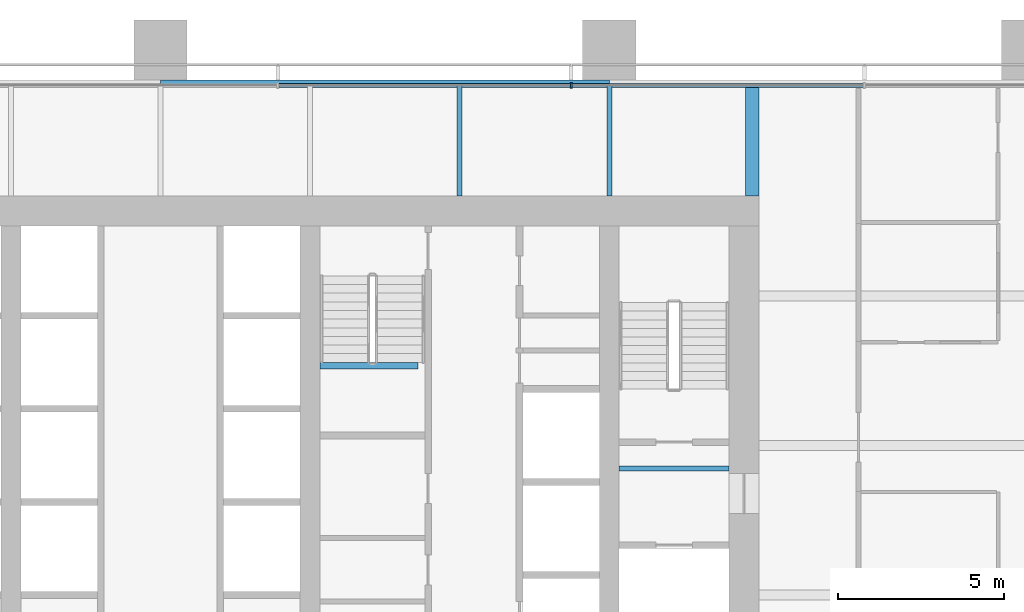
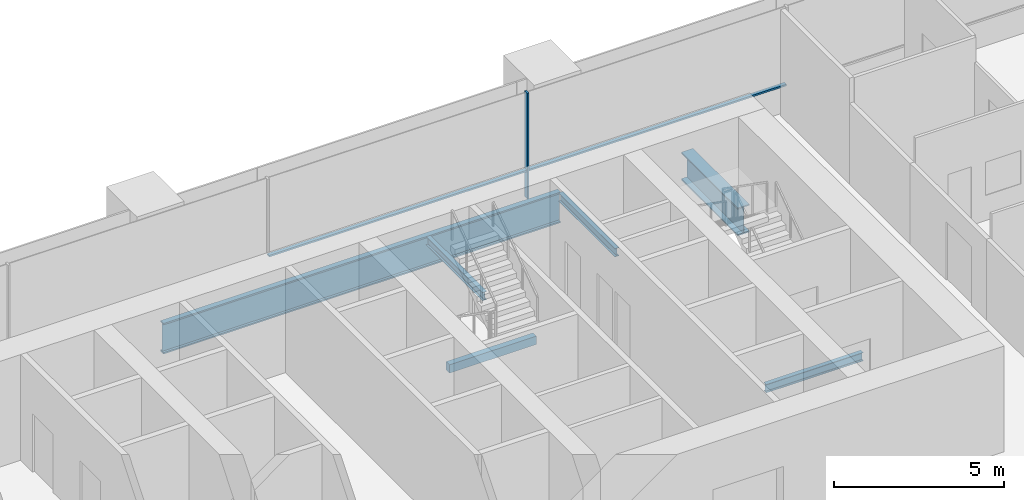
# One storey, part 9 of 19: 6 beams, 3 members, 1 element without a shape of its own.
"""IFC4 building model written with IfcOpenShell, lengths in metres."""

from ifc_helpers import new_model, si_unit, direction, frame, origin, origin_2d, place, context, subcontext, project, spatial, rectangle, i_section, extrude, material, material_profile, profile_set, type_object, element, aggregate, save


model = new_model("IFC4")

# Units and contexts
model_context = context("Model", 3, precision=1e-05, world=origin(), true_north=direction((0.0, 1.0)))
body_context = subcontext(model_context, "Body", "Model", "MODEL_VIEW")
ifc_project = project(units=[si_unit("LENGTHUNIT", "METRE"), si_unit("AREAUNIT", "SQUARE_METRE"), si_unit("VOLUMEUNIT", "CUBIC_METRE"), si_unit("PLANEANGLEUNIT", "RADIAN"), si_unit("MASSUNIT", "GRAM", prefix="KILO")], contexts=[model_context])

# Site, building, storey
site_placement = place(None, origin())
site = spatial("IfcSite", under=ifc_project, at=site_placement, CompositionType="ELEMENT")
building_placement = place(site_placement, origin())
building = spatial("IfcBuilding", under=site, at=building_placement, Name="Rattan Terrace Tower", CompositionType="ELEMENT")
storey_placement = place(building_placement, frame((0.0, 0.0, 87.699951171875)))
storey = spatial("IfcBuildingStorey", under=building, at=storey_placement, Name="L19", CompositionType="ELEMENT", Elevation=87.699951171875)

# Beam
ifc_material_1 = material(Name="Concrete C40/50", Category="concrete")
ifc_material_profile_1 = material_profile(ifc_material_1, rectangle(XDim=0.199951171875, YDim=0.300048828125, at=origin_2d()), Name="RC 200x300")
ifc_profile_set_1 = profile_set([ifc_material_profile_1], Name="Concrete C40/50")
beam_type_1 = type_object("IfcBeamType", Name="Core landing beam RC 200x300", PredefinedType="BEAM", material=ifc_profile_set_1)
beam_1_placement = place(storey_placement, frame((4.800048828125, 2.39990234375, 1.650146484375), z_axis=(1.0, 0.0, 0.0), x_axis=(0.0, 1.0, 0.0)))
element("IfcBeam", 1, at=beam_1_placement, inside=storey, type_object=beam_type_1, Name="st-S3-L19 landing 1 edge beam", PredefinedType="BEAM", context=body_context, shape_type="SweptSolid", body=[
    extrude(rectangle(XDim=0.199951171875, YDim=0.300048828125, at=origin_2d()), origin(), (0.0, 0.0, 1.0), 2.949951171875),
])

# Curtain wall, members
ifc_material_2 = material(Name="Aluminium and glass", Category="aluminium")
curtain_wall_type = type_object("IfcCurtainWallType", Name="Facade Unitised Curtain Wall", PredefinedType="NOTDEFINED", material=ifc_material_2)
curtain_wall_placement = place(storey_placement, origin())
curtain_wall = element("IfcCurtainWall", 2, at=curtain_wall_placement, inside=storey, type_object=curtain_wall_type, Name="Curtain wall L19-2", PredefinedType="NOTDEFINED")
ifc_material_3 = material(Name="Aluminium", Category="aluminium")
ifc_material_profile_2 = material_profile(ifc_material_3, rectangle(XDim=0.06005859375, YDim=0.159912109375, at=origin_2d()), Name="Aluminium 60x160")
ifc_profile_set_2 = profile_set([ifc_material_profile_2], Name="Aluminium")
member_type_1 = type_object("IfcMemberType", Name="Facade CW Mullion 60x160", PredefinedType="MULLION", material=ifc_profile_set_2)
member_1_placement = place(storey_placement, frame((12.35400390625, 10.830078125, 0.0), z_axis=(0.0, 0.0, 1.0), x_axis=(-1.0, 0.0, 0.0)))
member_1 = element("IfcMember", 3, at=member_1_placement, type_object=member_type_1, Name="Mullion cwl-L19-002.3", PredefinedType="MULLION", context=body_context, shape_type="SweptSolid", body=[
    extrude(rectangle(XDim=0.06005859375, YDim=0.159912109375, at=origin_2d()), origin(), (0.0, 0.0, 1.0), 3.800048828125),
])
ifc_material_4 = material(Name="Aluminium", Category="aluminium")
ifc_material_profile_3 = material_profile(ifc_material_4, rectangle(XDim=0.1201171875, YDim=0.06005859375, at=origin_2d()), Name="Aluminium 120x60")
ifc_profile_set_3 = profile_set([ifc_material_profile_3], Name="Aluminium")
member_type_2 = type_object("IfcMemberType", Name="Facade CW Transom 120x60", PredefinedType="USERDEFINED", material=ifc_profile_set_3)
member_2_placement = place(storey_placement, frame((21.14697265625, 10.830078125, 1.0), z_axis=(-1.0, 0.0, 0.0), x_axis=(0.0, -1.0, 0.0)))
member_2 = element("IfcMember", 4, at=member_2_placement, type_object=member_type_2, Name="Transom cwl-L19-002.2", ObjectType="TRANSOM", PredefinedType="USERDEFINED", context=body_context, shape_type="SweptSolid", body=[
    extrude(rectangle(XDim=0.1201171875, YDim=0.06005859375, at=origin_2d()), origin(), (0.0, 0.0, 1.0), 8.762939453125),
])
member_3_placement = place(storey_placement, frame((12.323974609375, 10.830078125, 1.0), z_axis=(-1.0, 0.0, 0.0), x_axis=(0.0, -1.0, 0.0)))
member_3 = element("IfcMember", 5, at=member_3_placement, type_object=member_type_2, Name="Transom cwl-L19-002.3", ObjectType="TRANSOM", PredefinedType="USERDEFINED", context=body_context, shape_type="SweptSolid", body=[
    extrude(rectangle(XDim=0.1201171875, YDim=0.06005859375, at=origin_2d()), origin(), (0.0, 0.0, 1.0), 8.762939453125),
])
aggregate(curtain_wall, [member_1, member_2, member_3])

# Beams
ifc_material_5 = material(Name="Steel S460", Category="steel")
ifc_material_profile_4 = material_profile(ifc_material_5, i_section(OverallWidth=0.39990234375, OverallDepth=1.0, WebThickness=0.01806640625, FlangeThickness=0.044921875, at=origin_2d()), Name="PG 1000x400-18-45")
ifc_profile_set_4 = profile_set([ifc_material_profile_4], Name="Steel S460")
beam_type_2 = type_object("IfcBeamType", Name="Frame core girder PG 1000x400-18-45", PredefinedType="BEAM", material=ifc_profile_set_4)
beam_2_placement = place(storey_placement, frame((17.800048828125, 7.5, -0.699951171875), z_axis=(0.0, 1.0, 0.0), x_axis=(-1.0, 0.0, 0.0)))
element("IfcBeam", 6, at=beam_2_placement, inside=storey, type_object=beam_type_2, Name="gdr-L19-010", PredefinedType="BEAM", context=body_context, shape_type="SweptSolid", body=[
    extrude(i_section(OverallWidth=0.39990234375, OverallDepth=1.0, WebThickness=0.01806640625, FlangeThickness=0.044921875, at=origin_2d()), origin(), (0.0, 0.0, 1.0), 3.320068359375),
])
ifc_material_6 = material(Name="Steel S460", Category="steel")
ifc_material_profile_5 = material_profile(ifc_material_6, i_section(OverallWidth=0.179931640625, OverallDepth=1.10009765625, WebThickness=0.01611328125, FlangeThickness=0.050048828125, at=origin_2d()), Name="PG 1100x180-16-50")
ifc_profile_set_5 = profile_set([ifc_material_profile_5], Name="Steel S460")
beam_type_3 = type_object("IfcBeamType", Name="Frame edge girder PG 1100x180-16-50", PredefinedType="SPANDREL", material=ifc_profile_set_5)
beam_3_placement = place(storey_placement, frame((13.5, 10.909912109375, -0.75), z_axis=(-1.0, 0.0, 0.0), x_axis=(0.0, -1.0, 0.0)))
element("IfcBeam", 7, at=beam_3_placement, inside=storey, type_object=beam_type_3, Name="gdr-L19-007", PredefinedType="SPANDREL", context=body_context, shape_type="SweptSolid", body=[
    extrude(i_section(OverallWidth=0.179931640625, OverallDepth=1.10009765625, WebThickness=0.01611328125, FlangeThickness=0.050048828125, at=origin_2d()), origin(), (0.0, 0.0, 1.0), 13.5),
])
ifc_material_7 = material(Name="Steel S355", Category="steel")
ifc_material_profile_6 = material_profile(ifc_material_7, i_section(OverallWidth=0.14990234375, OverallDepth=0.300048828125, WebThickness=0.007080078125, FlangeThickness=0.0107421875, FilletRadius=0.014892578125, at=origin_2d()), Name="IPE 300")
ifc_profile_set_6 = profile_set([ifc_material_profile_6], Name="Steel S355")
beam_type_4 = type_object("IfcBeamType", Name="Frame floor beam IPE 300", PredefinedType="JOIST", material=ifc_profile_set_6)
beam_4_placement = place(storey_placement, frame((13.800048828125, -0.695068359375, -0.349853515625), z_axis=(1.0, 0.0, 0.0), x_axis=(0.0, 1.0, 0.0)))
element("IfcBeam", 8, at=beam_4_placement, inside=storey, type_object=beam_type_4, Name="bm-L19-002", PredefinedType="JOIST", context=body_context, shape_type="SweptSolid", body=[
    extrude(i_section(OverallWidth=0.14990234375, OverallDepth=0.300048828125, WebThickness=0.007080078125, FlangeThickness=0.0107421875, FilletRadius=0.014892578125, at=origin_2d()), origin(), (0.0, 0.0, 1.0), 3.300048828125),
])
for number, where, z_axis, x_axis, name in (
    (9, (9.0, 7.5, -0.349853515625), (0.0, 1.0, 0.0), (-1.0, 0.0, 0.0), "bm-L19-023"),
    (10, (13.5, 7.5, -0.349853515625), (0.0, 1.0, 0.0), (-1.0, 0.0, 0.0), "bm-L19-024"),
):
    element("IfcBeam", number, at=place(storey_placement, frame(where, z_axis=z_axis, x_axis=x_axis)), inside=storey, type_object=beam_type_4, Name=name, PredefinedType="JOIST", context=body_context, shape_type="SweptSolid", body=[
        extrude(i_section(OverallWidth=0.14990234375, OverallDepth=0.300048828125, WebThickness=0.007080078125, FlangeThickness=0.0107421875, FilletRadius=0.014892578125, at=origin_2d()), origin(), (0.0, 0.0, 1.0), 3.320068359375),
    ])

save(model, "model.ifc")
